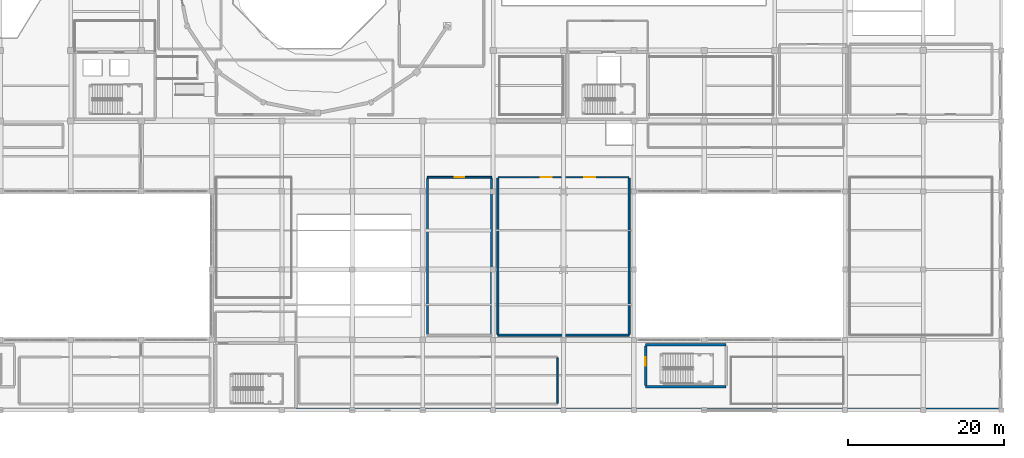
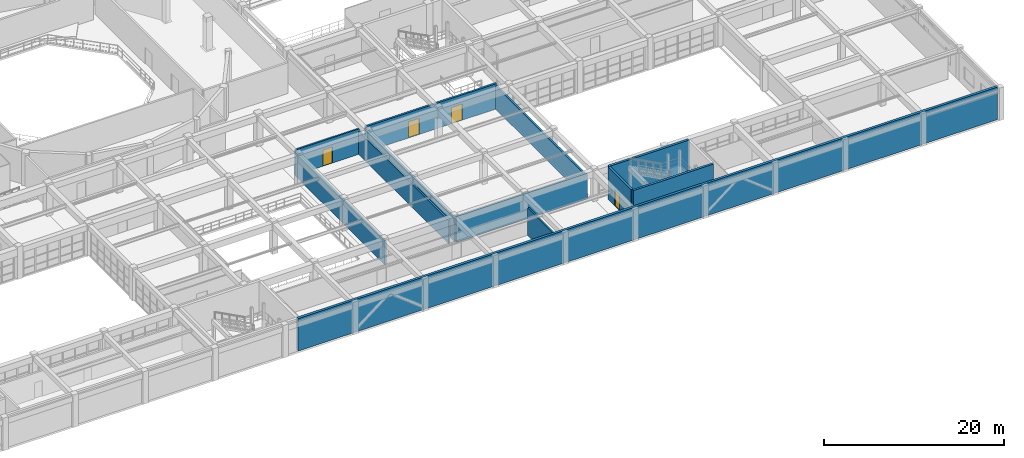
# One storey, part 109 of 133: 12 walls, 4 doors, 4 openings.
"""IFC4 building model written with IfcOpenShell, lengths in metres."""

from ifc_helpers import new_model, si_unit, direction, frame, frame_2d, origin, place, context, subcontext, project, spatial, rectangle, extrude, material, layer, layer_set, type_object, element, fill, save


model = new_model("IFC4")

# Units and contexts
model_context = context("Model", 3, precision=1e-05, world=origin(), true_north=direction((0.0, 1.0)))
body_context = subcontext(model_context, "Body", "Model", "MODEL_VIEW")
ifc_project = project(units=[si_unit("LENGTHUNIT", "METRE"), si_unit("AREAUNIT", "SQUARE_METRE"), si_unit("VOLUMEUNIT", "CUBIC_METRE"), si_unit("PLANEANGLEUNIT", "RADIAN"), si_unit("MASSUNIT", "GRAM", prefix="KILO")], contexts=[model_context])

# Site, building, storey
site_placement = place(None, origin())
site = spatial("IfcSite", under=ifc_project, at=site_placement, CompositionType="ELEMENT")
building_placement = place(site_placement, origin())
building = spatial("IfcBuilding", under=site, at=building_placement, Name="Miravela Opera House", CompositionType="ELEMENT")
storey_placement = place(building_placement, frame((0.0, 0.0, 5.10009765625)))
storey = spatial("IfcBuildingStorey", under=building, at=storey_placement, Name="L01", CompositionType="ELEMENT", Elevation=5.10009765625)

# Wall
ifc_material_1 = material(Name="Corridor fire-resisting masonry partition", Category="masonry")
ifc_layer_1 = layer(ifc_material_1, 0.18994140625)
ifc_layer_set_1 = layer_set([ifc_layer_1])
wall_type_1 = type_object("IfcWallType", Name="ARC-PT-190", PredefinedType="PARTITIONING", material=ifc_layer_set_1)
wall_1_placement = place(storey_placement, frame((107.199951171875, 0.89501953125, 0.0), z_axis=(0.0, 0.0, 1.0), x_axis=(0.0, 1.0, 0.0)))
element("IfcWall", 1, at=wall_1_placement, inside=storey, type_object=wall_type_1, Name="Costume Millinery Dyeing Workshop Partition East", PredefinedType="PARTITIONING", context=body_context, shape_type="SweptSolid", body=[
    extrude(rectangle(XDim=5.81005859375, YDim=0.18994140625, at=frame_2d((2.905029296875, 0.0))), origin(), (0.0, 0.0, 1.0), 3.73291015625),
])

# Wall, opening, door
ifc_material_2 = material(Name="Workshop fire-resisting block partition")
ifc_layer_2 = layer(ifc_material_2, 0.2099609375)
ifc_layer_set_2 = layer_set([ifc_layer_2])
wall_type_2 = type_object("IfcWallType", Name="ARC-PT-210", PredefinedType="PARTITIONING", material=ifc_layer_set_2)
wall_2_placement = place(storey_placement, frame((90.60009765625, 29.800048828125, 0.0), z_axis=(0.0, 0.0, 1.0), x_axis=(1.0, 0.0, 0.0)))
wall_2 = element("IfcWall", 2, at=wall_2_placement, inside=storey, type_object=wall_type_2, Name="Historical Instrument Restoration Workshop Partition North", PredefinedType="PARTITIONING", context=body_context, shape_type="SweptSolid", body=[
    extrude(rectangle(XDim=8.199951171875, YDim=0.2099609375, at=frame_2d((4.10009765625, 0.0))), origin(), (0.0, 0.0, 1.0), 3.43994140625),
])
opening_1_placement = place(wall_2_placement, frame((3.5, 0.0, 0.0)))
opening_1 = element("IfcOpeningElement", 3, at=opening_1_placement, cuts=wall_2, Name="Opening ID-04", PredefinedType="OPENING", context=body_context, shape_type="SweptSolid", body=[
    extrude(rectangle(XDim=1.199951171875, YDim=2.199951171875, at=frame_2d((0.60009765625, 1.10009765625))), frame((0.0, 0.114990234375, 0.0), z_axis=(0.0, -1.0, 0.0), x_axis=(1.0, 0.0, 0.0)), (0.0, 0.0, 1.0), 0.22998046875),
])
ifc_material_3 = material(Name="Wide acoustic ensemble door")
door_type_1 = type_object("IfcDoorType", Name="ARC-DR-1200X2200", OperationType="NOTDEFINED", PredefinedType="DOOR", material=ifc_material_3)
door_1_placement = place(opening_1_placement, origin())
door_1 = element("IfcDoor", 4, at=door_1_placement, inside=storey, type_object=door_type_1, Name="Historical Instrument Restoration Workshop Entry Door IDR-L01-0209", OperationType="SINGLE_SWING_LEFT", OverallHeight=2.199951171875, OverallWidth=1.199951171875, PredefinedType="DOOR", context=body_context, shape_type="SweptSolid", body=[
    extrude(rectangle(XDim=1.199951171875, YDim=2.199951171875, at=frame_2d((0.60009765625, 1.10009765625))), frame((0.0, 0.02490234375, 0.0), z_axis=(0.0, -1.0, 0.0), x_axis=(1.0, 0.0, 0.0)), (0.0, 0.0, 1.0), 0.050048828125),
])
fill(opening_1, door_1)

# Walls
wall_3_placement = place(storey_placement, frame((90.60009765625, 9.705078125, 0.0), z_axis=(0.0, 0.0, 1.0), x_axis=(0.0, 1.0, 0.0)))
element("IfcWall", 5, at=wall_3_placement, inside=storey, type_object=wall_type_2, Name="Historical Instrument Restoration Workshop Partition West", PredefinedType="PARTITIONING", context=body_context, shape_type="SweptSolid", body=[
    extrude(rectangle(XDim=19.989990234375, YDim=0.2099609375, at=frame_2d((9.9951171875, 0.0))), origin(), (0.0, 0.0, 1.0), 3.239990234375),
])
wall_4_placement = place(storey_placement, frame((98.800048828125, 9.705078125, 0.0), z_axis=(0.0, 0.0, 1.0), x_axis=(0.0, 1.0, 0.0)))
element("IfcWall", 6, at=wall_4_placement, inside=storey, type_object=wall_type_2, Name="Historical Instrument Restoration Workshop Partition East", PredefinedType="PARTITIONING", context=body_context, shape_type="SweptSolid", body=[
    extrude(rectangle(XDim=19.989990234375, YDim=0.2099609375, at=frame_2d((9.9951171875, 0.0))), origin(), (0.0, 0.0, 1.0), 3.139892578125),
])
ifc_material_4 = material(Name="Firefighting lobby compartment wall")
ifc_layer_3 = layer(ifc_material_4, 0.25)
ifc_layer_set_3 = layer_set([ifc_layer_3])
wall_type_3 = type_object("IfcWallType", Name="ARC-PT-220", PredefinedType="PARTITIONING", material=ifc_layer_set_3)
wall_5_placement = place(storey_placement, frame((99.60009765625, 9.60009765625, 0.0), z_axis=(0.0, 0.0, 1.0), x_axis=(1.0, 0.0, 0.0)))
element("IfcWall", 7, at=wall_5_placement, inside=storey, type_object=wall_type_3, Name="Performer Green Room and Lounge Partition South", PredefinedType="PARTITIONING", context=body_context, shape_type="SweptSolid", body=[
    extrude(rectangle(XDim=16.7998046875, YDim=0.25, at=frame_2d((8.39990234375, 0.0))), origin(), (0.0, 0.0, 1.0), 3.489990234375),
])

# Wall, openings, doors
wall_6_placement = place(storey_placement, frame((99.60009765625, 29.800048828125, 0.0), z_axis=(0.0, 0.0, 1.0), x_axis=(1.0, 0.0, 0.0)))
wall_6 = element("IfcWall", 8, at=wall_6_placement, inside=storey, type_object=wall_type_3, Name="Performer Green Room and Lounge Partition North", PredefinedType="PARTITIONING", context=body_context, shape_type="SweptSolid", body=[
    extrude(rectangle(XDim=16.7998046875, YDim=0.25, at=frame_2d((8.39990234375, 0.0))), origin(), (0.0, 0.0, 1.0), 3.43994140625),
])
opening_2_placement = place(wall_6_placement, frame((5.51611328125, 0.0, 0.0)))
opening_2 = element("IfcOpeningElement", 9, at=opening_2_placement, cuts=wall_6, Name="Opening ID-05", PredefinedType="OPENING", context=body_context, shape_type="SweptSolid", body=[
    extrude(rectangle(XDim=1.39990234375, YDim=2.199951171875, at=frame_2d((0.699951171875, 1.10009765625))), frame((0.0, 0.135009765625, 0.0), z_axis=(0.0, -1.0, 0.0), x_axis=(1.0, 0.0, 0.0)), (0.0, 0.0, 1.0), 0.27001953125),
])
opening_3_placement = place(wall_6_placement, frame((11.031982421875, 0.0, 0.0)))
opening_3 = element("IfcOpeningElement", 10, at=opening_3_placement, cuts=wall_6, Name="Opening ID-05", PredefinedType="OPENING", context=body_context, shape_type="SweptSolid", body=[
    extrude(rectangle(XDim=1.39990234375, YDim=2.199951171875, at=frame_2d((0.699951171875, 1.10009765625))), frame((0.0, 0.135009765625, 0.0), z_axis=(0.0, -1.0, 0.0), x_axis=(1.0, 0.0, 0.0)), (0.0, 0.0, 1.0), 0.27001953125),
])
ifc_material_5 = material(Name="Double-leaf glazed mahogany salon door")
door_type_2 = type_object("IfcDoorType", Name="ARC-DR-1400X2200", OperationType="NOTDEFINED", PredefinedType="DOOR", material=ifc_material_5)
door_2_placement = place(opening_2_placement, origin())
door_2 = element("IfcDoor", 11, at=door_2_placement, inside=storey, type_object=door_type_2, Name="Performer Green Room and Lounge Entry Door IDR-L01-0178", OperationType="DOUBLE_DOOR_SINGLE_SWING", OverallHeight=2.199951171875, OverallWidth=1.39990234375, PredefinedType="DOOR", context=body_context, shape_type="SweptSolid", body=[
    extrude(rectangle(XDim=1.39990234375, YDim=2.199951171875, at=frame_2d((0.699951171875, 1.10009765625))), frame((0.0, 0.02490234375, 0.0), z_axis=(0.0, -1.0, 0.0), x_axis=(1.0, 0.0, 0.0)), (0.0, 0.0, 1.0), 0.050048828125),
])
fill(opening_2, door_2)
door_3_placement = place(opening_3_placement, origin())
door_3 = element("IfcDoor", 12, at=door_3_placement, inside=storey, type_object=door_type_2, Name="Performer Green Room and Lounge Secondary Exit Door IDR-L01-0179", OperationType="DOUBLE_DOOR_SINGLE_SWING", OverallHeight=2.199951171875, OverallWidth=1.39990234375, PredefinedType="DOOR", context=body_context, shape_type="SweptSolid", body=[
    extrude(rectangle(XDim=1.39990234375, YDim=2.199951171875, at=frame_2d((0.699951171875, 1.10009765625))), frame((0.0, 0.02490234375, 0.0), z_axis=(0.0, -1.0, 0.0), x_axis=(1.0, 0.0, 0.0)), (0.0, 0.0, 1.0), 0.050048828125),
])
fill(opening_3, door_3)

# Walls
for number, where, z_axis, x_axis, name in (
    (13, (99.60009765625, 9.72509765625, 0.0), (0.0, 0.0, 1.0), (0.0, 1.0, 0.0), "Performer Green Room and Lounge Partition West"),
    (14, (116.39990234375, 9.72509765625, 0.0), (0.0, 0.0, 1.0), (0.0, 1.0, 0.0), "Performer Green Room and Lounge Partition East"),
):
    element("IfcWall", number, at=place(storey_placement, frame(where, z_axis=z_axis, x_axis=x_axis)), inside=storey, type_object=wall_type_3, Name=name, PredefinedType="PARTITIONING", context=body_context, shape_type="SweptSolid", body=[
        extrude(rectangle(XDim=19.949951171875, YDim=0.25, at=frame_2d((9.97509765625, 0.0))), origin(), (0.0, 0.0, 1.0), 3.139892578125),
    ])
ifc_material_6 = material(Name="Concrete C35/45", Category="concrete")
ifc_layer_4 = layer(ifc_material_6, 0.320068359375)
ifc_layer_set_4 = layer_set([ifc_layer_4])
wall_type_4 = type_object("IfcWallType", Name="STR-WALL-PARTY-320", PredefinedType="SHEAR", material=ifc_layer_set_4)
wall_7_placement = place(storey_placement, frame((73.77490234375, 0.159912109375, 0.0), z_axis=(0.0, 0.0, 1.0), x_axis=(1.0, 0.0, 0.0)))
element("IfcWall", 15, at=wall_7_placement, inside=storey, type_object=wall_type_4, Name="South Lot-Line Blind Fire Party Wall East (L01)", PredefinedType="SHEAR", context=body_context, shape_type="SweptSolid", body=[
    extrude(rectangle(XDim=89.875, YDim=0.320068359375, at=frame_2d((44.9375, 0.0))), origin(), (0.0, 0.0, 1.0), 4.419921875),
])
ifc_layer_5 = layer(ifc_material_6, 0.300048828125)
ifc_layer_set_5 = layer_set([ifc_layer_5])
wall_type_5 = type_object("IfcWallType", Name="STR-WALL-WING-300", PredefinedType="SHEAR", material=ifc_layer_set_5)
for number, where, z_axis, x_axis, name in (
    (16, (118.5, 3.0, 0.0), (0.0, 0.0, 1.0), (1.0, 0.0, 0.0), "Core ST-10 Shear Wall South (L01)"),
    (17, (118.5, 8.39990234375, 0.0), (0.0, 0.0, 1.0), (1.0, 0.0, 0.0), "Core ST-10 Shear Wall North (L01)"),
):
    element("IfcWall", number, at=place(storey_placement, frame(where, z_axis=z_axis, x_axis=x_axis)), inside=storey, type_object=wall_type_5, Name=name, PredefinedType="SHEAR", context=body_context, shape_type="SweptSolid", body=[
        extrude(rectangle(XDim=10.300048828125, YDim=0.300048828125, at=frame_2d((5.14990234375, 0.0))), origin(), (0.0, 0.0, 1.0), 4.419921875),
    ])

# Wall, opening, door
wall_8_placement = place(storey_placement, frame((118.5, 3.14990234375, 0.0), z_axis=(0.0, 0.0, 1.0), x_axis=(0.0, 1.0, 0.0)))
wall_8 = element("IfcWall", 18, at=wall_8_placement, inside=storey, type_object=wall_type_5, Name="Core ST-10 Shear Wall West (L01)", PredefinedType="SHEAR", context=body_context, shape_type="SweptSolid", body=[
    extrude(rectangle(XDim=5.10009765625, YDim=0.300048828125, at=frame_2d((2.550048828125, 0.0))), origin(), (0.0, 0.0, 1.0), 4.419921875),
])
opening_4_placement = place(wall_8_placement, frame((2.550048828125, 0.0, 0.0)))
opening_4 = element("IfcOpeningElement", 19, at=opening_4_placement, cuts=wall_8, Name="Opening FD-01", PredefinedType="OPENING", context=body_context, shape_type="SweptSolid", body=[
    extrude(rectangle(XDim=1.10009765625, YDim=2.199951171875, at=frame_2d((0.550048828125, 1.10009765625))), frame((0.0, 0.159912109375, 0.0), z_axis=(0.0, -1.0, 0.0), x_axis=(1.0, 0.0, 0.0)), (0.0, 0.0, 1.0), 0.320068359375),
])
ifc_material_7 = material(Name="Fire-rated steel/hardwood exit stair door", Category="steel")
door_type_3 = type_object("IfcDoorType", Name="ARC-FD-1100X2200", OperationType="NOTDEFINED", PredefinedType="DOOR", material=ifc_material_7)
door_4_placement = place(opening_4_placement, frame((1.10009765625, 0.0, 0.0), z_axis=(0.0, 0.0, 1.0), x_axis=(-1.0, 0.0, 0.0)))
door_4 = element("IfcDoor", 20, at=door_4_placement, inside=storey, type_object=door_type_3, Name="Exit Stair ST-10 Rated Door (L01) IDR-L01-0056", OperationType="SINGLE_SWING_RIGHT", OverallHeight=2.199951171875, OverallWidth=1.10009765625, PredefinedType="DOOR", context=body_context, shape_type="SweptSolid", body=[
    extrude(rectangle(XDim=1.10009765625, YDim=2.199951171875, at=frame_2d((0.550048828125, 1.10009765625))), frame((0.0, 0.02490234375, 0.0), z_axis=(0.0, -1.0, 0.0), x_axis=(1.0, 0.0, 0.0)), (0.0, 0.0, 1.0), 0.050048828125),
])
fill(opening_4, door_4)

save(model, "model.ifc")
